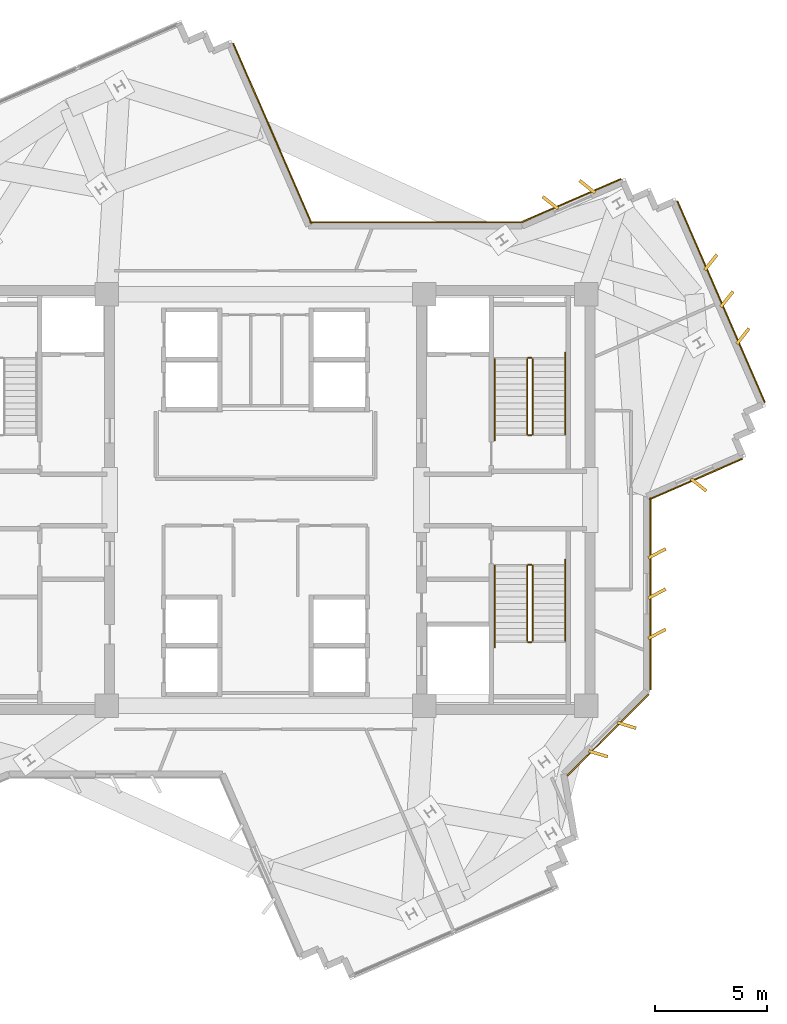
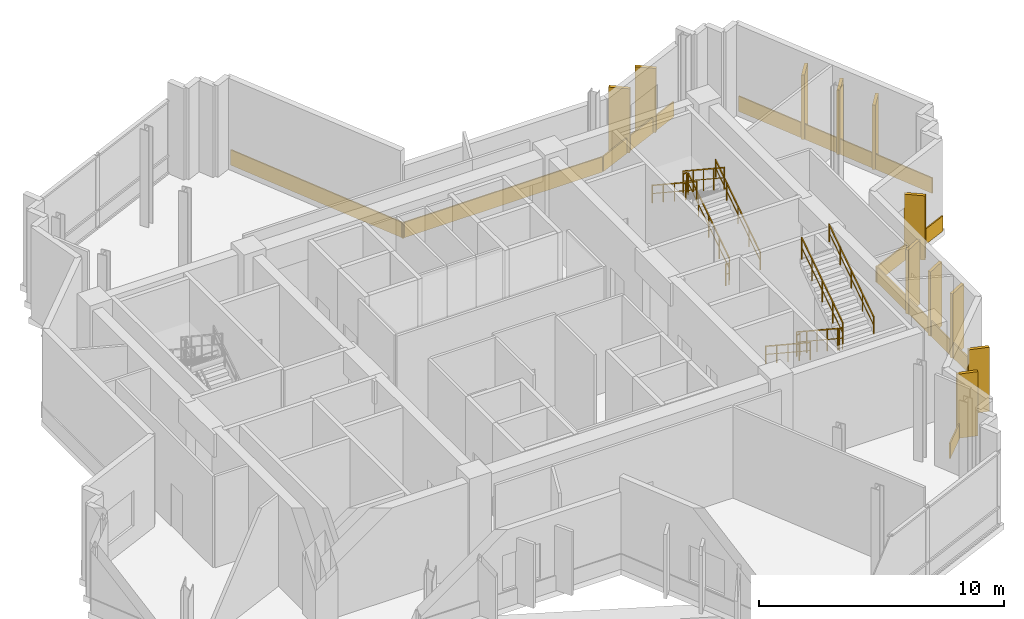
# One storey, part 11 of 11: 18 coverings, 12 railings.
"""IFC4 building model written with IfcOpenShell, lengths in metres."""

from ifc_helpers import new_model, si_unit, direction, frame, origin, origin_2d, place, context, subcontext, project, spatial, rectangle, extrude, source, transform, mapped, material, layer, layer_set, type_object, element, save


model = new_model("IFC4")

# Units and contexts
model_context = context("Model", 3, precision=1e-05, world=origin(), true_north=direction((0.0, 1.0)))
body_context = subcontext(model_context, "Body", "Model", "MODEL_VIEW")
ifc_project = project(units=[si_unit("LENGTHUNIT", "METRE"), si_unit("AREAUNIT", "SQUARE_METRE"), si_unit("VOLUMEUNIT", "CUBIC_METRE"), si_unit("PLANEANGLEUNIT", "RADIAN"), si_unit("MASSUNIT", "GRAM", prefix="KILO")], contexts=[model_context])

# Site, building, storey
site_placement = place(None, origin())
site = spatial("IfcSite", under=ifc_project, at=site_placement, CompositionType="ELEMENT")
building_placement = place(site_placement, origin())
building = spatial("IfcBuilding", under=site, at=building_placement, Name="Zahravan Cultural Tower", CompositionType="ELEMENT")
storey_placement = place(building_placement, frame((0.0, 0.0, 234.300048828125)))
storey = spatial("IfcBuildingStorey", under=building, at=storey_placement, Name="L55", CompositionType="ELEMENT", Elevation=234.300048828125)

# Railings
ifc_material_1 = material(Name="Steel ASTM A572 Grade 50", Category="steel")
railing_type_1 = type_object("IfcRailingType", Name="RL-STAIR-GRD1150", PredefinedType="BALUSTRADE", material=ifc_material_1)
railing_1_placement = place(storey_placement, frame((47.949951171875, 29.949951171875, 0.1845703125)))
element("IfcRailing", 1, at=railing_1_placement, inside=storey, type_object=railing_type_1, Name="L55 ST-E1 stair guard 1", PredefinedType="BALUSTRADE", context=body_context, shape_type="SweptSolid", body=[
    extrude(rectangle(XDim=0.05, YDim=0.05, at=origin_2d()), frame((0.0, 0.0, 1.0751953125), z_axis=(0.0, 0.834876476806, 0.550437342915), x_axis=(-1.0, 0.0, 0.0)), (0.0, 0.0, 1.0), 4.024658203125),
    extrude(rectangle(XDim=0.032, YDim=0.032, at=origin_2d()), frame((0.0, 0.0, 0.572021484375), z_axis=(0.0, 0.834876476806, 0.550437342915), x_axis=(-1.0, 0.0, 0.0)), (0.0, 0.0, 1.0), 4.024658203125),
    extrude(rectangle(XDim=0.04, YDim=0.04, at=origin_2d()), origin(), (0.0, 0.0, 1.0), 1.10009765625),
    extrude(rectangle(XDim=0.04, YDim=0.04, at=origin_2d()), frame((0.0, 0.840087890625, 0.5537109375)), (0.0, 0.0, 1.0), 1.10009765625),
    extrude(rectangle(XDim=0.04, YDim=0.04, at=origin_2d()), frame((0.0, 1.68017578125, 1.107666015625)), (0.0, 0.0, 1.0), 1.10009765625),
    extrude(rectangle(XDim=0.04, YDim=0.04, at=origin_2d()), frame((0.0, 2.52001953125, 1.66162109375)), (0.0, 0.0, 1.0), 1.10009765625),
    extrude(rectangle(XDim=0.04, YDim=0.04, at=origin_2d()), frame((0.0, 3.360107421875, 2.21533203125)), (0.0, 0.0, 1.0), 1.10009765625),
])
railing_2_placement = place(storey_placement, frame((47.89990234375, 33.360107421875, 2.39990234375)))
element("IfcRailing", 2, at=railing_2_placement, inside=storey, type_object=railing_type_1, Name="L55 ST-E1 stair guard 2", PredefinedType="BALUSTRADE", context=body_context, shape_type="SweptSolid", body=[
    extrude(rectangle(XDim=0.05, YDim=0.05, at=origin_2d()), frame((0.0, 0.0, 1.0751953125), z_axis=(-1.0, 0.0, 0.0), x_axis=(0.0, -1.0, 0.0)), (0.0, 0.0, 1.0), 0.14990234375),
    extrude(rectangle(XDim=0.032, YDim=0.032, at=origin_2d()), frame((0.0, 0.0, 0.572021484375), z_axis=(-1.0, 0.0, 0.0), x_axis=(0.0, -1.0, 0.0)), (0.0, 0.0, 1.0), 0.14990234375),
    extrude(rectangle(XDim=0.04, YDim=0.04, at=origin_2d()), origin(), (0.0, 0.0, 1.0), 1.10009765625),
    extrude(rectangle(XDim=0.04, YDim=0.04, at=origin_2d()), frame((-0.14990234375, 0.0, 0.0)), (0.0, 0.0, 1.0), 1.10009765625),
])
railing_3_placement = place(storey_placement, frame((47.699951171875, 33.31005859375, 2.58447265625)))
element("IfcRailing", 3, at=railing_3_placement, inside=storey, type_object=railing_type_1, Name="L55 ST-E1 stair guard 3", PredefinedType="BALUSTRADE", context=body_context, shape_type="SweptSolid", body=[
    extrude(rectangle(XDim=0.05, YDim=0.05, at=origin_2d()), frame((0.0, 0.0, 1.0751953125), z_axis=(0.0, -0.834848600103, 0.550479622607), x_axis=(1.0, 0.0, 0.0)), (0.0, 0.0, 1.0), 4.02490234375),
    extrude(rectangle(XDim=0.032, YDim=0.032, at=origin_2d()), frame((0.0, 0.0, 0.572021484375), z_axis=(0.0, -0.834848600103, 0.550479622607), x_axis=(1.0, 0.0, 0.0)), (0.0, 0.0, 1.0), 4.02490234375),
    extrude(rectangle(XDim=0.04, YDim=0.04, at=origin_2d()), origin(), (0.0, 0.0, 1.0), 1.10009765625),
    extrude(rectangle(XDim=0.04, YDim=0.04, at=origin_2d()), frame((0.0, -0.840087890625, 0.553955078125)), (0.0, 0.0, 1.0), 1.10009765625),
    extrude(rectangle(XDim=0.04, YDim=0.04, at=origin_2d()), frame((0.0, -1.68017578125, 1.10791015625)), (0.0, 0.0, 1.0), 1.10009765625),
    extrude(rectangle(XDim=0.04, YDim=0.04, at=origin_2d()), frame((0.0, -2.52001953125, 1.66162109375)), (0.0, 0.0, 1.0), 1.10009765625),
    extrude(rectangle(XDim=0.04, YDim=0.04, at=origin_2d()), frame((0.0, -3.360107421875, 2.215576171875)), (0.0, 0.0, 1.0), 1.10009765625),
])
railing_4_placement = place(storey_placement, frame((47.89990234375, 29.89990234375, 0.0)))
element("IfcRailing", 4, at=railing_4_placement, inside=storey, type_object=railing_type_1, Name="L55 ST-E1 stair guard 4", PredefinedType="BALUSTRADE", context=body_context, shape_type="SweptSolid", body=[
    extrude(rectangle(XDim=0.05, YDim=0.05, at=origin_2d()), frame((0.0, 0.0, 1.0751953125), z_axis=(-1.0, 0.0, 0.0), x_axis=(0.0, -1.0, 0.0)), (0.0, 0.0, 1.0), 0.14990234375),
    extrude(rectangle(XDim=0.032, YDim=0.032, at=origin_2d()), frame((0.0, 0.0, 0.572021484375), z_axis=(-1.0, 0.0, 0.0), x_axis=(0.0, -1.0, 0.0)), (0.0, 0.0, 1.0), 0.14990234375),
    extrude(rectangle(XDim=0.04, YDim=0.04, at=origin_2d()), origin(), (0.0, 0.0, 1.0), 1.10009765625),
    extrude(rectangle(XDim=0.04, YDim=0.04, at=origin_2d()), frame((-0.14990234375, 0.0, 0.0)), (0.0, 0.0, 1.0), 1.10009765625),
])
railing_5_placement = place(storey_placement, frame((47.699951171875, 24.050048828125, 0.1845703125)))
element("IfcRailing", 5, at=railing_5_placement, inside=storey, type_object=railing_type_1, Name="L55 ST-E2 stair guard 1", PredefinedType="BALUSTRADE", context=body_context, shape_type="SweptSolid", body=[
    extrude(rectangle(XDim=0.05, YDim=0.05, at=origin_2d()), frame((0.0, 0.0, 1.0751953125), z_axis=(0.0, -0.834876476806, 0.550437342915), x_axis=(1.0, 0.0, 0.0)), (0.0, 0.0, 1.0), 4.024658203125),
    extrude(rectangle(XDim=0.032, YDim=0.032, at=origin_2d()), frame((0.0, 0.0, 0.572021484375), z_axis=(0.0, -0.834876476806, 0.550437342915), x_axis=(1.0, 0.0, 0.0)), (0.0, 0.0, 1.0), 4.024658203125),
    extrude(rectangle(XDim=0.04, YDim=0.04, at=origin_2d()), origin(), (0.0, 0.0, 1.0), 1.10009765625),
    extrude(rectangle(XDim=0.04, YDim=0.04, at=origin_2d()), frame((0.0, -0.840087890625, 0.5537109375)), (0.0, 0.0, 1.0), 1.10009765625),
    extrude(rectangle(XDim=0.04, YDim=0.04, at=origin_2d()), frame((0.0, -1.68017578125, 1.107666015625)), (0.0, 0.0, 1.0), 1.10009765625),
    extrude(rectangle(XDim=0.04, YDim=0.04, at=origin_2d()), frame((0.0, -2.52001953125, 1.66162109375)), (0.0, 0.0, 1.0), 1.10009765625),
    extrude(rectangle(XDim=0.04, YDim=0.04, at=origin_2d()), frame((0.0, -3.360107421875, 2.21533203125)), (0.0, 0.0, 1.0), 1.10009765625),
])
railing_6_placement = place(storey_placement, frame((47.75, 20.639892578125, 2.39990234375)))
element("IfcRailing", 6, at=railing_6_placement, inside=storey, type_object=railing_type_1, Name="L55 ST-E2 stair guard 2", PredefinedType="BALUSTRADE", context=body_context, shape_type="SweptSolid", body=[
    extrude(rectangle(XDim=0.05, YDim=0.05, at=origin_2d()), frame((0.0, 0.0, 1.0751953125), z_axis=(1.0, 0.0, 0.0), x_axis=(0.0, 1.0, 0.0)), (0.0, 0.0, 1.0), 0.14990234375),
    extrude(rectangle(XDim=0.032, YDim=0.032, at=origin_2d()), frame((0.0, 0.0, 0.572021484375), z_axis=(1.0, 0.0, 0.0), x_axis=(0.0, 1.0, 0.0)), (0.0, 0.0, 1.0), 0.14990234375),
    extrude(rectangle(XDim=0.04, YDim=0.04, at=origin_2d()), origin(), (0.0, 0.0, 1.0), 1.10009765625),
    extrude(rectangle(XDim=0.04, YDim=0.04, at=origin_2d()), frame((0.14990234375, 0.0, 0.0)), (0.0, 0.0, 1.0), 1.10009765625),
])
railing_7_placement = place(storey_placement, frame((47.949951171875, 20.68994140625, 2.58447265625)))
element("IfcRailing", 7, at=railing_7_placement, inside=storey, type_object=railing_type_1, Name="L55 ST-E2 stair guard 3", PredefinedType="BALUSTRADE", context=body_context, shape_type="SweptSolid", body=[
    extrude(rectangle(XDim=0.05, YDim=0.05, at=origin_2d()), frame((0.0, 0.0, 1.0751953125), z_axis=(0.0, 0.834848600103, 0.550479622607), x_axis=(-1.0, 0.0, 0.0)), (0.0, 0.0, 1.0), 4.02490234375),
    extrude(rectangle(XDim=0.032, YDim=0.032, at=origin_2d()), frame((0.0, 0.0, 0.572021484375), z_axis=(0.0, 0.834848600103, 0.550479622607), x_axis=(-1.0, 0.0, 0.0)), (0.0, 0.0, 1.0), 4.02490234375),
    extrude(rectangle(XDim=0.04, YDim=0.04, at=origin_2d()), origin(), (0.0, 0.0, 1.0), 1.10009765625),
    extrude(rectangle(XDim=0.04, YDim=0.04, at=origin_2d()), frame((0.0, 0.840087890625, 0.553955078125)), (0.0, 0.0, 1.0), 1.10009765625),
    extrude(rectangle(XDim=0.04, YDim=0.04, at=origin_2d()), frame((0.0, 1.68017578125, 1.10791015625)), (0.0, 0.0, 1.0), 1.10009765625),
    extrude(rectangle(XDim=0.04, YDim=0.04, at=origin_2d()), frame((0.0, 2.52001953125, 1.66162109375)), (0.0, 0.0, 1.0), 1.10009765625),
    extrude(rectangle(XDim=0.04, YDim=0.04, at=origin_2d()), frame((0.0, 3.360107421875, 2.215576171875)), (0.0, 0.0, 1.0), 1.10009765625),
])
railing_8_placement = place(storey_placement, frame((47.75, 24.10009765625, 0.0)))
element("IfcRailing", 8, at=railing_8_placement, inside=storey, type_object=railing_type_1, Name="L55 ST-E2 stair guard 4", PredefinedType="BALUSTRADE", context=body_context, shape_type="SweptSolid", body=[
    extrude(rectangle(XDim=0.05, YDim=0.05, at=origin_2d()), frame((0.0, 0.0, 1.0751953125), z_axis=(1.0, 0.0, 0.0), x_axis=(0.0, 1.0, 0.0)), (0.0, 0.0, 1.0), 0.14990234375),
    extrude(rectangle(XDim=0.032, YDim=0.032, at=origin_2d()), frame((0.0, 0.0, 0.572021484375), z_axis=(1.0, 0.0, 0.0), x_axis=(0.0, 1.0, 0.0)), (0.0, 0.0, 1.0), 0.14990234375),
    extrude(rectangle(XDim=0.04, YDim=0.04, at=origin_2d()), origin(), (0.0, 0.0, 1.0), 1.10009765625),
    extrude(rectangle(XDim=0.04, YDim=0.04, at=origin_2d()), frame((0.14990234375, 0.0, 0.0)), (0.0, 0.0, 1.0), 1.10009765625),
])
railing_type_2 = type_object("IfcRailingType", Name="RL-STAIR-HR900", PredefinedType="HANDRAIL", material=ifc_material_1)
railing_9_placement = place(storey_placement, frame((49.39990234375, 29.949951171875, 0.1845703125)))
element("IfcRailing", 9, at=railing_9_placement, inside=storey, type_object=railing_type_2, Name="L55 ST-E1 stair handrail 1", PredefinedType="HANDRAIL", context=body_context, shape_type="SweptSolid", body=[
    extrude(rectangle(XDim=0.05, YDim=0.05, at=origin_2d()), frame((0.0, 0.0, 0.875), z_axis=(0.0, 0.83488217925, 0.55042869363), x_axis=(-1.0, 0.0, 0.0)), (0.0, 0.0, 1.0), 4.360107421875),
    extrude(rectangle(XDim=0.032, YDim=0.032, at=origin_2d()), frame((0.0, 0.0, 0.468017578125), z_axis=(0.0, 0.83488217925, 0.55042869363), x_axis=(-1.0, 0.0, 0.0)), (0.0, 0.0, 1.0), 4.360107421875),
    extrude(rectangle(XDim=0.04, YDim=0.04, at=origin_2d()), origin(), (0.0, 0.0, 1.0), 0.89990234375),
    extrude(rectangle(XDim=0.04, YDim=0.04, at=origin_2d()), frame((0.0, 0.91015625, 0.60009765625)), (0.0, 0.0, 1.0), 0.89990234375),
    extrude(rectangle(XDim=0.04, YDim=0.04, at=origin_2d()), frame((0.0, 1.820068359375, 1.199951171875)), (0.0, 0.0, 1.0), 0.89990234375),
    extrude(rectangle(XDim=0.04, YDim=0.04, at=origin_2d()), frame((0.0, 2.72998046875, 1.7998046875)), (0.0, 0.0, 1.0), 0.89990234375),
    extrude(rectangle(XDim=0.04, YDim=0.04, at=origin_2d()), frame((0.0, 3.64013671875, 2.39990234375)), (0.0, 0.0, 1.0), 0.89990234375),
])
railing_10_placement = place(storey_placement, frame((46.25, 33.31005859375, 2.58447265625)))
element("IfcRailing", 10, at=railing_10_placement, inside=storey, type_object=railing_type_2, Name="L55 ST-E1 stair handrail 2", PredefinedType="HANDRAIL", context=body_context, shape_type="SweptSolid", body=[
    extrude(rectangle(XDim=0.05, YDim=0.05, at=origin_2d()), frame((0.0, 0.0, 0.875), z_axis=(0.0, -0.834856447115, 0.55046772177), x_axis=(1.0, 0.0, 0.0)), (0.0, 0.0, 1.0), 4.360107421875),
    extrude(rectangle(XDim=0.032, YDim=0.032, at=origin_2d()), frame((0.0, 0.0, 0.468017578125), z_axis=(0.0, -0.834856447115, 0.55046772177), x_axis=(1.0, 0.0, 0.0)), (0.0, 0.0, 1.0), 4.360107421875),
    extrude(rectangle(XDim=0.04, YDim=0.04, at=origin_2d()), origin(), (0.0, 0.0, 1.0), 0.89990234375),
    extrude(rectangle(XDim=0.04, YDim=0.04, at=origin_2d()), frame((0.0, -0.91015625, 0.60009765625)), (0.0, 0.0, 1.0), 0.89990234375),
    extrude(rectangle(XDim=0.04, YDim=0.04, at=origin_2d()), frame((0.0, -1.820068359375, 1.2001953125)), (0.0, 0.0, 1.0), 0.89990234375),
    extrude(rectangle(XDim=0.04, YDim=0.04, at=origin_2d()), frame((0.0, -2.72998046875, 1.800048828125)), (0.0, 0.0, 1.0), 0.89990234375),
    extrude(rectangle(XDim=0.04, YDim=0.04, at=origin_2d()), frame((0.0, -3.64013671875, 2.400146484375)), (0.0, 0.0, 1.0), 0.89990234375),
])
railing_11_placement = place(storey_placement, frame((46.25, 24.050048828125, 0.1845703125)))
element("IfcRailing", 11, at=railing_11_placement, inside=storey, type_object=railing_type_2, Name="L55 ST-E2 stair handrail 1", PredefinedType="HANDRAIL", context=body_context, shape_type="SweptSolid", body=[
    extrude(rectangle(XDim=0.05, YDim=0.05, at=origin_2d()), frame((0.0, 0.0, 0.875), z_axis=(0.0, -0.83488217925, 0.55042869363), x_axis=(1.0, 0.0, 0.0)), (0.0, 0.0, 1.0), 4.360107421875),
    extrude(rectangle(XDim=0.032, YDim=0.032, at=origin_2d()), frame((0.0, 0.0, 0.468017578125), z_axis=(0.0, -0.83488217925, 0.55042869363), x_axis=(1.0, 0.0, 0.0)), (0.0, 0.0, 1.0), 4.360107421875),
    extrude(rectangle(XDim=0.04, YDim=0.04, at=origin_2d()), origin(), (0.0, 0.0, 1.0), 0.89990234375),
    extrude(rectangle(XDim=0.04, YDim=0.04, at=origin_2d()), frame((0.0, -0.91015625, 0.60009765625)), (0.0, 0.0, 1.0), 0.89990234375),
    extrude(rectangle(XDim=0.04, YDim=0.04, at=origin_2d()), frame((0.0, -1.820068359375, 1.199951171875)), (0.0, 0.0, 1.0), 0.89990234375),
    extrude(rectangle(XDim=0.04, YDim=0.04, at=origin_2d()), frame((0.0, -2.72998046875, 1.7998046875)), (0.0, 0.0, 1.0), 0.89990234375),
    extrude(rectangle(XDim=0.04, YDim=0.04, at=origin_2d()), frame((0.0, -3.64013671875, 2.39990234375)), (0.0, 0.0, 1.0), 0.89990234375),
])
railing_12_placement = place(storey_placement, frame((49.39990234375, 20.68994140625, 2.58447265625)))
element("IfcRailing", 12, at=railing_12_placement, inside=storey, type_object=railing_type_2, Name="L55 ST-E2 stair handrail 2", PredefinedType="HANDRAIL", context=body_context, shape_type="SweptSolid", body=[
    extrude(rectangle(XDim=0.05, YDim=0.05, at=origin_2d()), frame((0.0, 0.0, 0.875), z_axis=(0.0, 0.834856447115, 0.55046772177), x_axis=(-1.0, 0.0, 0.0)), (0.0, 0.0, 1.0), 4.360107421875),
    extrude(rectangle(XDim=0.032, YDim=0.032, at=origin_2d()), frame((0.0, 0.0, 0.468017578125), z_axis=(0.0, 0.834856447115, 0.55046772177), x_axis=(-1.0, 0.0, 0.0)), (0.0, 0.0, 1.0), 4.360107421875),
    extrude(rectangle(XDim=0.04, YDim=0.04, at=origin_2d()), origin(), (0.0, 0.0, 1.0), 0.89990234375),
    extrude(rectangle(XDim=0.04, YDim=0.04, at=origin_2d()), frame((0.0, 0.91015625, 0.60009765625)), (0.0, 0.0, 1.0), 0.89990234375),
    extrude(rectangle(XDim=0.04, YDim=0.04, at=origin_2d()), frame((0.0, 1.820068359375, 1.2001953125)), (0.0, 0.0, 1.0), 0.89990234375),
    extrude(rectangle(XDim=0.04, YDim=0.04, at=origin_2d()), frame((0.0, 2.72998046875, 1.800048828125)), (0.0, 0.0, 1.0), 0.89990234375),
    extrude(rectangle(XDim=0.04, YDim=0.04, at=origin_2d()), frame((0.0, 3.64013671875, 2.400146484375)), (0.0, 0.0, 1.0), 0.89990234375),
])

# Coverings
ifc_material_2 = material(Name="Terracotta ceramic cladding", Category="masonry")
ifc_layer = layer(ifc_material_2, 0.06005859375)
ifc_layer_set = layer_set([ifc_layer], Name="Terracotta ceramic cladding")
covering_type = type_object("IfcCoveringType", Name="COV-CLAD-TC60", PredefinedType="CLADDING", material=ifc_layer_set)
shared_shape_1 = source(origin(), body_context, "Body", "SweptSolid", [
    extrude(rectangle(XDim=9.820068359375, YDim=0.06005859375, at=origin_2d()), origin(), (0.0, 0.0, 1.0), 0.760009765625),
])
covering_1_placement = place(storey_placement, frame((56.379150390625, 35.8681640625, 0.02001953125), z_axis=(0.0, 0.0, 1.0), x_axis=(0.399005144858, -0.916948686883, 0.0)))
element("IfcCovering", 13, at=covering_1_placement, inside=storey, type_object=covering_type, Name="L55 Terracotta Spandrel Cladding 06", PredefinedType="CLADDING", context=body_context, shape_type="MappedRepresentation", body=[
    mapped(shared_shape_1, transform((0.0, 0.0, 0.0), x_axis=(1.0, 0.0, 0.0), y_axis=(0.0, 1.0, 0.0), z_axis=(0.0, 0.0, 1.0), scale=1.0)),
])
shared_shape_2 = source(origin(), body_context, "Body", "SweptSolid", [
    extrude(rectangle(XDim=5.157958984375, YDim=0.06005859375, at=origin_2d()), origin(), (0.0, 0.0, 1.0), 0.760009765625),
])
covering_2_placement = place(storey_placement, frame((51.317626953125, 16.482421875, 0.02001953125), z_axis=(0.0, 0.0, 1.0), x_axis=(-0.707106781187, -0.707106781187, 0.0)))
element("IfcCovering", 14, at=covering_2_placement, inside=storey, type_object=covering_type, Name="L55 Terracotta Spandrel Cladding 13", PredefinedType="CLADDING", context=body_context, shape_type="MappedRepresentation", body=[
    mapped(shared_shape_2, transform((0.0, 0.0, 0.0), x_axis=(1.0, 0.0, 0.0), y_axis=(0.0, 1.0, 0.0), z_axis=(0.0, 0.0, 1.0), scale=1.0)),
])
shared_shape_3 = source(origin(), body_context, "Body", "SweptSolid", [
    extrude(rectangle(XDim=0.8798828125, YDim=0.139892578125, at=origin_2d()), origin(), (0.0, 0.0, 1.0), 3.199951171875),
])
for number, where, z_axis, x_axis, name in (
    (15, (48.7421875, 40.298828125, 0.0498046875), (0.0, 0.0, 1.0), (-0.782792826212, 0.622282404725, 0.0), "L55 Herringbone Terracotta Fin 01"),
    (16, (50.392578125, 41.01708984375, 0.0498046875), (0.0, 0.0, 1.0), (-0.782792826212, 0.622282404725, 0.0), "L55 Herringbone Terracotta Fin 02"),
    (17, (55.922119140625, 37.63232421875, 0.0498046875), (0.0, 0.0, 1.0), (0.622296066943, 0.782781965216, 0.0), "L55 Herringbone Terracotta Fin 03"),
    (18, (56.640380859375, 35.98193359375, 0.0498046875), (0.0, 0.0, 1.0), (0.622296066943, 0.782781965216, 0.0), "L55 Herringbone Terracotta Fin 04"),
    (19, (57.358642578125, 34.331298828125, 0.0498046875), (0.0, 0.0, 1.0), (0.622296066943, 0.782781965216, 0.0), "L55 Herringbone Terracotta Fin 05"),
    (20, (55.372802734375, 27.67626953125, 0.0498046875), (0.0, 0.0, 1.0), (0.782781965216, -0.622296066943, 0.0), "L55 Herringbone Terracotta Fin 06"),
    (21, (53.510009765625, 24.609375, 0.0498046875), (0.0, 0.0, 1.0), (0.882947592859, 0.469471562786, 0.0), "L55 Herringbone Terracotta Fin 07"),
    (22, (53.510009765625, 22.809326171875, 0.0498046875), (0.0, 0.0, 1.0), (0.882947592859, 0.469471562786, 0.0), "L55 Herringbone Terracotta Fin 08"),
    (23, (53.510009765625, 21.00927734375, 0.0498046875), (0.0, 0.0, 1.0), (0.882947592859, 0.469471562786, 0.0), "L55 Herringbone Terracotta Fin 09"),
    (24, (52.155517578125, 16.917236328125, 0.0498046875), (0.0, 0.0, 1.0), (0.956304755963, -0.292371704723, 0.0), "L55 Herringbone Terracotta Fin 10"),
    (25, (50.8828125, 15.644287109375, 0.0498046875), (0.0, 0.0, 1.0), (0.956304755963, -0.292371704723, 0.0), "L55 Herringbone Terracotta Fin 11"),
):
    element("IfcCovering", number, at=place(storey_placement, frame(where, z_axis=z_axis, x_axis=x_axis)), inside=storey, type_object=covering_type, Name=name, PredefinedType="CLADDING", context=body_context, shape_type="MappedRepresentation", body=[
        mapped(shared_shape_3, transform((0.0, 0.0, 0.0), x_axis=(1.0, 0.0, 0.0), y_axis=(0.0, 1.0, 0.0), z_axis=(0.0, 0.0, 1.0), scale=1.0)),
    ])
shared_shape_4 = source(origin(), body_context, "Body", "SweptSolid", [
    extrude(rectangle(XDim=4.83935546875, YDim=0.06005859375, at=origin_2d()), origin(), (0.0, 0.0, 1.0), 0.760009765625),
])
covering_3_placement = place(storey_placement, frame((49.68115234375, 40.396728515625, 0.02001953125), z_axis=(0.0, 0.0, 1.0), x_axis=(0.91694172279, 0.399021148571, 0.0)))
element("IfcCovering", 26, at=covering_3_placement, inside=storey, type_object=covering_type, Name="L55 Terracotta Spandrel Cladding 01", PredefinedType="CLADDING", context=body_context, shape_type="MappedRepresentation", body=[
    mapped(shared_shape_4, transform((0.0, 0.0, 0.0), x_axis=(1.0, 0.0, 0.0), y_axis=(0.0, 1.0, 0.0), z_axis=(0.0, 0.0, 1.0), scale=1.0)),
])
shared_shape_5 = source(origin(), body_context, "Body", "SweptSolid", [
    extrude(rectangle(XDim=4.552978515625, YDim=0.06005859375, at=origin_2d()), origin(), (0.0, 0.0, 1.0), 0.760009765625),
])
covering_4_placement = place(storey_placement, frame((55.259033203125, 27.9375, 0.02001953125), z_axis=(0.0, 0.0, 1.0), x_axis=(-0.916948686883, -0.399005144858, 0.0)))
element("IfcCovering", 27, at=covering_4_placement, inside=storey, type_object=covering_type, Name="L55 Terracotta Spandrel Cladding 11", PredefinedType="CLADDING", context=body_context, shape_type="MappedRepresentation", body=[
    mapped(shared_shape_5, transform((0.0, 0.0, 0.0), x_axis=(1.0, 0.0, 0.0), y_axis=(0.0, 1.0, 0.0), z_axis=(0.0, 0.0, 1.0), scale=1.0)),
])
shared_shape_6 = source(origin(), body_context, "Body", "SweptSolid", [
    extrude(rectangle(XDim=8.6025390625, YDim=0.06005859375, at=origin_2d()), origin(), (0.0, 0.0, 1.0), 0.760009765625),
])
covering_5_placement = place(storey_placement, frame((53.22509765625, 22.809326171875, 0.02001953125), z_axis=(0.0, 0.0, 1.0), x_axis=(0.0, -1.0, 0.0)))
element("IfcCovering", 28, at=covering_5_placement, inside=storey, type_object=covering_type, Name="L55 Terracotta Spandrel Cladding 12", PredefinedType="CLADDING", context=body_context, shape_type="MappedRepresentation", body=[
    mapped(shared_shape_6, transform((0.0, 0.0, 0.0), x_axis=(1.0, 0.0, 0.0), y_axis=(0.0, 1.0, 0.0), z_axis=(0.0, 0.0, 1.0), scale=1.0)),
])
shared_shape_7 = source(origin(), body_context, "Body", "SweptSolid", [
    extrude(rectangle(XDim=8.78759765625, YDim=0.06005859375, at=origin_2d()), origin(), (0.0, 0.0, 1.0), 0.760009765625),
])
covering_6_placement = place(storey_placement, frame((36.306396484375, 43.400634765625, 0.02001953125), z_axis=(0.0, 0.0, 1.0), x_axis=(0.399021148571, -0.91694172279, 0.0)))
element("IfcCovering", 29, at=covering_6_placement, inside=storey, type_object=covering_type, Name="L55 Terracotta Spandrel Cladding 47", PredefinedType="CLADDING", context=body_context, shape_type="MappedRepresentation", body=[
    mapped(shared_shape_7, transform((0.0, 0.0, 0.0), x_axis=(1.0, 0.0, 0.0), y_axis=(0.0, 1.0, 0.0), z_axis=(0.0, 0.0, 1.0), scale=1.0)),
])
shared_shape_8 = source(origin(), body_context, "Body", "SweptSolid", [
    extrude(rectangle(XDim=9.454345703125, YDim=0.06005859375, at=origin_2d()), origin(), (0.0, 0.0, 1.0), 0.760009765625),
])
covering_7_placement = place(storey_placement, frame((42.705322265625, 39.425048828125, 0.02001953125), z_axis=(0.0, 0.0, 1.0), x_axis=(1.0, 0.0, 0.0)))
element("IfcCovering", 30, at=covering_7_placement, inside=storey, type_object=covering_type, Name="L55 Terracotta Spandrel Cladding 48", PredefinedType="CLADDING", context=body_context, shape_type="MappedRepresentation", body=[
    mapped(shared_shape_8, transform((0.0, 0.0, 0.0), x_axis=(1.0, 0.0, 0.0), y_axis=(0.0, 1.0, 0.0), z_axis=(0.0, 0.0, 1.0), scale=1.0)),
])

save(model, "model.ifc")
